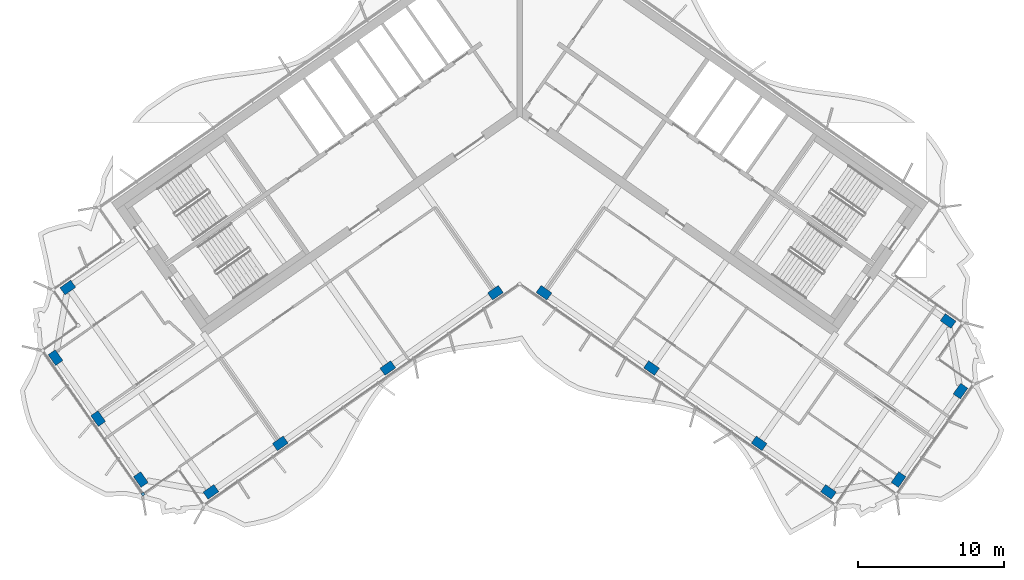
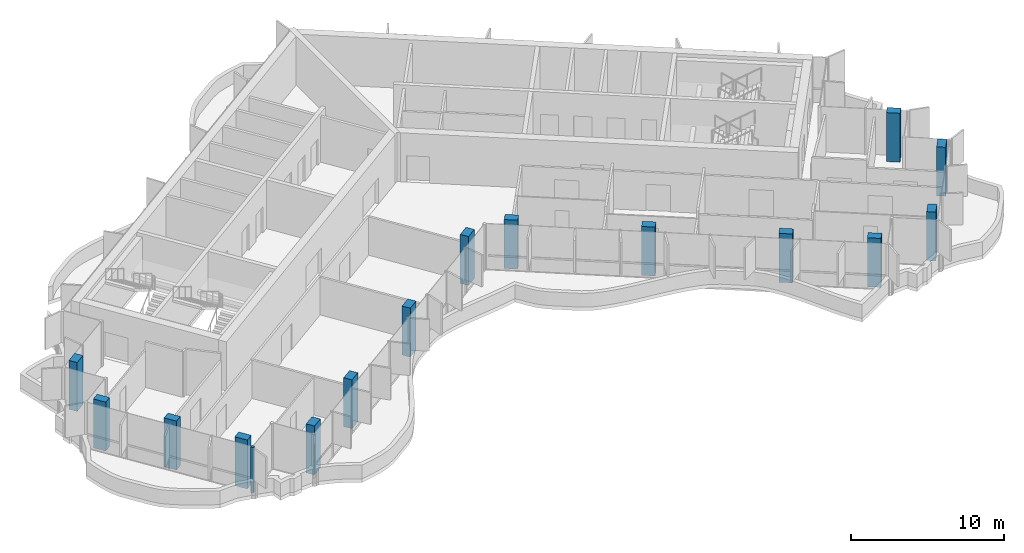
# One storey, part 1 of 18: 15 columns, 1 member, 1 element without a shape of its own.
"""IFC4 building model written with IfcOpenShell, lengths in metres."""

from ifc_helpers import new_model, si_unit, direction, frame, origin, origin_2d, place, context, subcontext, project, spatial, rectangle, extrude, material, material_profile, profile_set, type_object, element, aggregate, save


model = new_model("IFC4")

# Units and contexts
model_context = context("Model", 3, precision=1e-05, world=origin(), true_north=direction((0.0, 1.0)))
body_context = subcontext(model_context, "Body", "Model", "MODEL_VIEW")
ifc_project = project(units=[si_unit("LENGTHUNIT", "METRE"), si_unit("AREAUNIT", "SQUARE_METRE"), si_unit("VOLUMEUNIT", "CUBIC_METRE"), si_unit("PLANEANGLEUNIT", "RADIAN"), si_unit("MASSUNIT", "GRAM", prefix="KILO")], contexts=[model_context])

# Site, building, storey
site_placement = place(None, origin())
site = spatial("IfcSite", under=ifc_project, at=site_placement, CompositionType="ELEMENT")
building_placement = place(site_placement, origin())
building = spatial("IfcBuilding", under=site, at=building_placement, Name="Tel Ilan Convention Tower", CompositionType="ELEMENT")
storey_placement = place(building_placement, frame((0.0, 0.0, 260.5)))
storey = spatial("IfcBuildingStorey", under=building, at=storey_placement, Name="L61", CompositionType="ELEMENT", Elevation=260.5)

# Columns
ifc_material_1 = material(Name="Concrete C40/50", Category="concrete")
ifc_material_profile_1 = material_profile(ifc_material_1, rectangle(XDim=0.89990234375, YDim=0.60009765625, at=origin_2d()), Name="RC 600x900")
ifc_profile_set_1 = profile_set([ifc_material_profile_1], Name="Concrete C40/50")
column_type = type_object("IfcColumnType", Name="Column RC 600x900 C40/50", PredefinedType="COLUMN", material=ifc_profile_set_1)
for number, where, z_axis, x_axis, name in (
    (1, (-1.665283203125, -13.312744140625, 0.0), (0.0, 0.0, 1.0), (-0.819152044289, -0.573576436351, 0.0), "L61 column W-F1"),
    (2, (-9.03759765625, -18.474853515625, 0.0), (0.0, 0.0, 1.0), (-0.819152044289, -0.573576436351, 0.0), "L61 column W-F2"),
    (3, (-16.409912109375, -23.63720703125, 0.0), (0.0, 0.0, 1.0), (-0.819152044289, -0.573576436351, 0.0), "L61 column W-F3"),
    (4, (-21.1611328125, -26.9638671875, 0.0), (0.0, 0.0, 1.0), (-0.819152044289, -0.573576436351, 0.0), "L61 column W-FC"),
    (5, (-30.96923828125, -12.956298828125, 0.0), (0.0, 0.0, 1.0), (-0.819152044289, -0.573576436351, 0.0), "L61 column W-BC"),
    (6, (-25.966064453125, -26.11669921875, 0.0), (0.0, 0.0, 1.0), (-0.573576436351, 0.819152044289, 0.0), "L61 column W-E1"),
    (7, (-28.891357421875, -21.93896484375, 0.0), (0.0, 0.0, 1.0), (-0.573576436351, 0.819152044289, 0.0), "L61 column W-E2"),
    (8, (-31.81640625, -17.76123046875, 0.0), (0.0, 0.0, 1.0), (-0.573576436351, 0.819152044289, 0.0), "L61 column W-E3"),
    (9, (1.665283203125, -13.312744140625, 0.0), (0.0, 0.0, 1.0), (0.819152044289, -0.573576436351, 0.0), "L61 column E-F1"),
    (10, (9.03759765625, -18.474853515625, 0.0), (0.0, 0.0, 1.0), (0.819152044289, -0.573576436351, 0.0), "L61 column E-F2"),
    (11, (16.409912109375, -23.63720703125, 0.0), (0.0, 0.0, 1.0), (0.819152044289, -0.573576436351, 0.0), "L61 column E-F3"),
    (12, (21.1611328125, -26.9638671875, 0.0), (0.0, 0.0, 1.0), (0.819152044289, -0.573576436351, 0.0), "L61 column E-FC"),
    (13, (29.36328125, -15.25, 0.0), (0.0, 0.0, 1.0), (0.819152044289, -0.573576436351, 0.0), "L61 column E-BC"),
    (14, (25.966064453125, -26.11669921875, 0.0), (0.0, 0.0, 1.0), (0.573576436351, 0.819152044289, 0.0), "L61 column E-E1"),
    (15, (30.21044921875, -20.054931640625, 0.0), (0.0, 0.0, 1.0), (0.573576436351, 0.819152044289, 0.0), "L61 column E-E2"),
):
    element("IfcColumn", number, at=place(storey_placement, frame(where, z_axis=z_axis, x_axis=x_axis)), inside=storey, type_object=column_type, Name=name, PredefinedType="COLUMN", context=body_context, shape_type="SweptSolid", body=[
        extrude(rectangle(XDim=0.89990234375, YDim=0.60009765625, at=origin_2d()), origin(), (0.0, 0.0, 1.0), 3.89990234375),
    ])

# Curtain wall, member
ifc_material_2 = material(Name="Aluminium, bronze anodised", Category="aluminium")
curtain_wall_type = type_object("IfcCurtainWallType", Name="CW5 STICK CURTAIN WALL, UPPER OFFICE LOW-IRON TINTED GLASS", PredefinedType="NOTDEFINED", material=ifc_material_2)
curtain_wall_placement = place(storey_placement, origin())
curtain_wall = element("IfcCurtainWall", 16, at=curtain_wall_placement, inside=storey, type_object=curtain_wall_type, Name="Curtain wall CW5-46.02", PredefinedType="NOTDEFINED")
ifc_material_3 = material(Name="Aluminium, bronze anodised", Category="aluminium")
ifc_material_profile_2 = material_profile(ifc_material_3, rectangle(XDim=0.199951171875, YDim=0.199951171875, at=origin_2d()), Name="CW CORNER MULLION 200x200")
ifc_profile_set_2 = profile_set([ifc_material_profile_2], Name="Aluminium, bronze anodised")
member_type = type_object("IfcMemberType", Name="CW CORNER MULLION 200x200", PredefinedType="MULLION", material=ifc_profile_set_2)
member_placement = place(storey_placement, frame((-25.818359375, -27.112060546875, 0.0), z_axis=(0.0, 0.0, 1.0), x_axis=(0.573576436351, -0.819152044289, 0.0)))
member = element("IfcMember", 17, at=member_placement, type_object=member_type, Name="Corner mullion", PredefinedType="MULLION", context=body_context, shape_type="SweptSolid", body=[
    extrude(rectangle(XDim=0.199951171875, YDim=0.199951171875, at=origin_2d()), origin(), (0.0, 0.0, 1.0), 3.6201171875),
])
aggregate(curtain_wall, [member])

save(model, "model.ifc")
